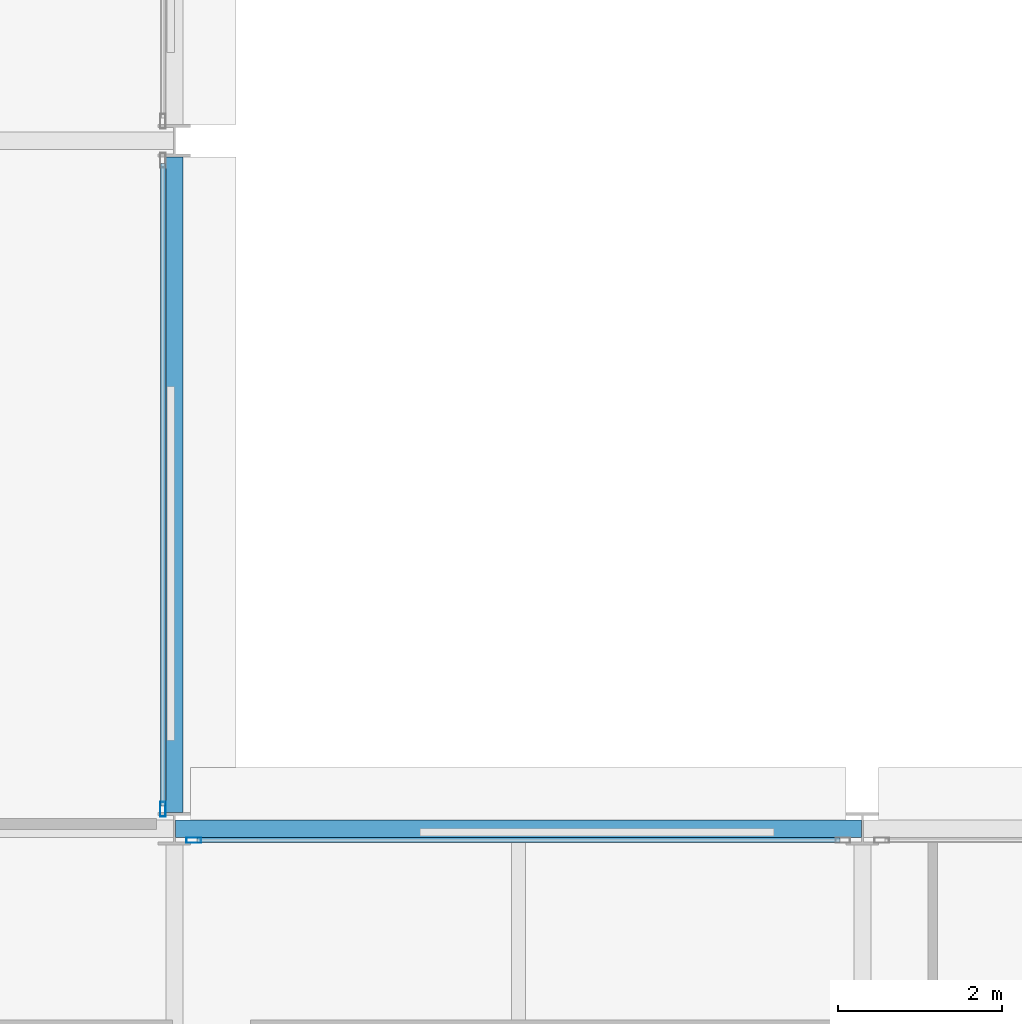
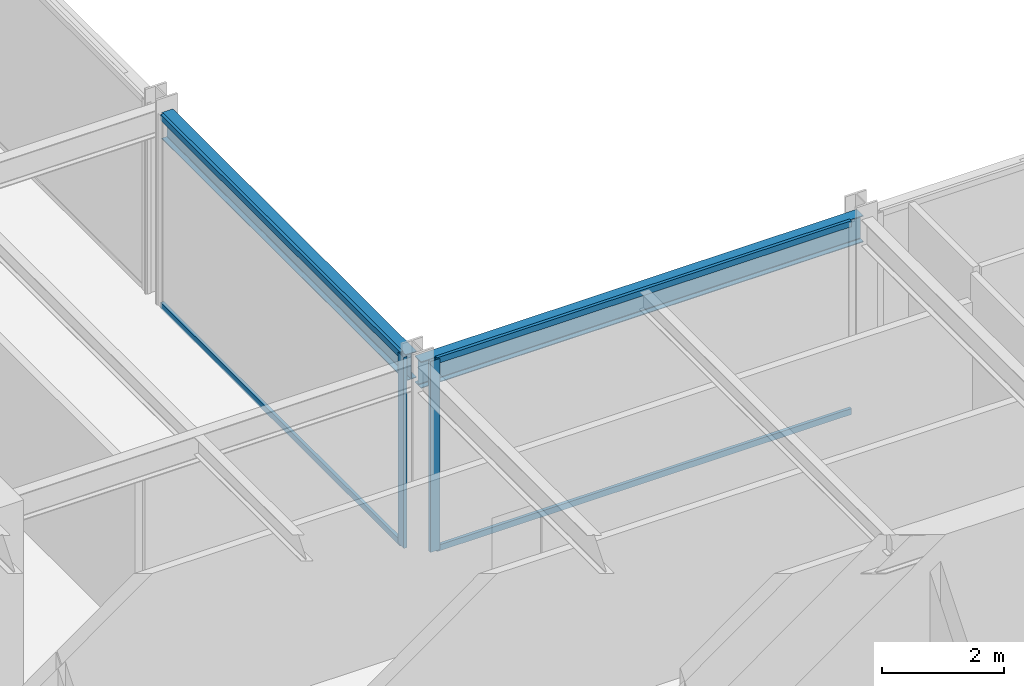
# One storey, part 15 of 39: 6 members, 2 beams, 2 elements without a shape of their own.
"""IFC4 building model written with IfcOpenShell, lengths in metres."""

from ifc_helpers import new_model, si_unit, direction, frame, origin, origin_2d, place, context, subcontext, project, spatial, hollow_rectangle, i_section, extrude, material, layer, layer_set, material_profile, profile_set, type_object, element, aggregate, save


model = new_model("IFC4")

# Units and contexts
model_context = context("Model", 3, precision=1e-05, world=origin(), true_north=direction((0.0, 1.0)))
body_context = subcontext(model_context, "Body", "Model", "MODEL_VIEW")
ifc_project = project(units=[si_unit("LENGTHUNIT", "METRE"), si_unit("AREAUNIT", "SQUARE_METRE"), si_unit("VOLUMEUNIT", "CUBIC_METRE"), si_unit("PLANEANGLEUNIT", "RADIAN"), si_unit("MASSUNIT", "GRAM", prefix="KILO")], contexts=[model_context])

# Site, building, storey
site_placement = place(None, origin())
site = spatial("IfcSite", under=ifc_project, at=site_placement, CompositionType="ELEMENT")
building_placement = place(site_placement, origin())
building = spatial("IfcBuilding", under=site, at=building_placement, Name="Nerrivon Quay Data Exchange", CompositionType="ELEMENT")
storey_placement = place(building_placement, frame((0.0, 0.0, 92.60009765625)))
storey = spatial("IfcBuildingStorey", under=building, at=storey_placement, Name="L21", CompositionType="ELEMENT", Elevation=92.60009765625)

# Beams
ifc_material_1 = material(Name="Steel Grade 350", Category="steel")
ifc_material_profile_1 = material_profile(ifc_material_1, i_section(OverallWidth=0.208984375, OverallDepth=0.532958984375, WebThickness=0.01025390625, FlangeThickness=0.015625, FilletRadius=0.013916015625, at=origin_2d()), Name="530UB92.4")
ifc_profile_set_1 = profile_set([ifc_material_profile_1], Name="Steel Grade 350")
beam_type_1 = type_object("IfcBeamType", Name="BM-G3-530UB92", PredefinedType="BEAM", material=ifc_profile_set_1)
beam_1_placement = place(storey_placement, frame((25.21240234375, 25.199951171875, 3.558349609375), z_axis=(1.0, 0.0, 0.0), x_axis=(0.0, 1.0, 0.0)))
element("IfcBeam", 1, at=beam_1_placement, inside=storey, type_object=beam_type_1, Name="L21 EW Girder Y=25.2 (25.2..33.6)", PredefinedType="BEAM", context=body_context, shape_type="SweptSolid", body=[
    extrude(i_section(OverallWidth=0.208984375, OverallDepth=0.532958984375, WebThickness=0.01025390625, FlangeThickness=0.015625, FilletRadius=0.013916015625, at=origin_2d()), origin(), (0.0, 0.0, 1.0), 8.375),
])
ifc_material_profile_2 = material_profile(ifc_material_1, i_section(OverallWidth=0.208984375, OverallDepth=0.528076171875, WebThickness=0.009521484375, FlangeThickness=0.01318359375, FilletRadius=0.013916015625, at=origin_2d()), Name="530UB82.0")
ifc_profile_set_2 = profile_set([ifc_material_profile_2], Name="Steel Grade 350")
beam_type_2 = type_object("IfcBeamType", Name="BM-G4-530UB82", PredefinedType="BEAM", material=ifc_profile_set_2)
beam_2_placement = place(storey_placement, frame((25.199951171875, 25.39990234375, 3.560791015625), z_axis=(0.0, 1.0, 0.0), x_axis=(-1.0, 0.0, 0.0)))
element("IfcBeam", 2, at=beam_2_placement, inside=storey, type_object=beam_type_2, Name="L21 NS Girder X=25.2 (25.2..33.6)", PredefinedType="BEAM", context=body_context, shape_type="SweptSolid", body=[
    extrude(i_section(OverallWidth=0.208984375, OverallDepth=0.528076171875, WebThickness=0.009521484375, FlangeThickness=0.01318359375, FilletRadius=0.013916015625, at=origin_2d()), origin(), (0.0, 0.0, 1.0), 8.0),
])

# Curtain wall, member
ifc_material_2 = material(Name="Anodised aluminium 6063-T6", Category="aluminium")
ifc_layer = layer(ifc_material_2, 0.2099609375)
ifc_layer_set = layer_set([ifc_layer], Name="Anodised aluminium 6063-T6")
curtain_wall_type = type_object("IfcCurtainWallType", Name="CW-SYS-02", PredefinedType="NOTDEFINED", material=ifc_layer_set)
curtain_wall_1_placement = place(storey_placement, origin())
curtain_wall_1 = element("IfcCurtainWall", 3, at=curtain_wall_1_placement, inside=storey, type_object=curtain_wall_type, Name="L21 Unitised Curtain Wall 31", PredefinedType="NOTDEFINED")
ifc_material_profile_3 = material_profile(ifc_material_2, hollow_rectangle(XDim=0.06494140625, YDim=0.179931640625, WallThickness=0.00341796875, at=origin_2d()), Name="ALU-MULL-180x65")
ifc_profile_set_3 = profile_set([ifc_material_profile_3], Name="Anodised aluminium 6063-T6")
member_type_1 = type_object("IfcMemberType", Name="CWM-180x65", PredefinedType="MULLION", material=ifc_profile_set_3)
member_1_placement = place(storey_placement, frame((25.06005859375, 25.4375, 0.0), z_axis=(0.0, 0.0, 1.0), x_axis=(1.0, 0.0, 0.0)))
member_1 = element("IfcMember", 4, at=member_1_placement, type_object=member_type_1, Name="CW02 mullion 2", PredefinedType="MULLION", context=body_context, shape_type="SweptSolid", body=[
    extrude(hollow_rectangle(XDim=0.06494140625, YDim=0.179931640625, WallThickness=0.00341796875, at=origin_2d()), origin(), (0.0, 0.0, 1.0), 3.824951171875),
])

curtain_wall_2_placement = place(storey_placement, origin())
curtain_wall_2 = element("IfcCurtainWall", 5, at=curtain_wall_2_placement, inside=storey, type_object=curtain_wall_type, Name="L21 Unitised Curtain Wall 32", PredefinedType="NOTDEFINED")
member_2_placement = place(storey_placement, frame((25.4375, 25.06005859375, 0.0), z_axis=(0.0, 0.0, 1.0), x_axis=(0.0, 1.0, 0.0)))
member_2 = element("IfcMember", 6, at=member_2_placement, type_object=member_type_1, Name="CW02 mullion 1", PredefinedType="MULLION", context=body_context, shape_type="SweptSolid", body=[
    extrude(hollow_rectangle(XDim=0.06494140625, YDim=0.179931640625, WallThickness=0.00341796875, at=origin_2d()), origin(), (0.0, 0.0, 1.0), 3.824951171875),
])

# Member
ifc_material_profile_4 = material_profile(ifc_material_2, hollow_rectangle(XDim=0.06005859375, YDim=0.1201171875, WallThickness=0.003173828125, at=origin_2d()), Name="ALU-TRAN-120x60")
ifc_profile_set_4 = profile_set([ifc_material_profile_4], Name="Anodised aluminium 6063-T6")
member_type_2 = type_object("IfcMemberType", Name="CWT-120x60", PredefinedType="USERDEFINED", material=ifc_profile_set_4)
member_3_placement = place(storey_placement, frame((25.06005859375, 33.324951171875, 0.032470703125), z_axis=(0.0, -1.0, 0.0), x_axis=(1.0, 0.0, 0.0)))
member_3 = element("IfcMember", 7, at=member_3_placement, type_object=member_type_2, Name="CW02 transom 1.1", ObjectType="TRANSOM", PredefinedType="USERDEFINED", context=body_context, shape_type="SweptSolid", body=[
    extrude(hollow_rectangle(XDim=0.06005859375, YDim=0.1201171875, WallThickness=0.003173828125, at=origin_2d()), origin(), (0.0, 0.0, 1.0), 7.849853515625),
])

member_4_placement = place(storey_placement, frame((25.06005859375, 33.324951171875, 3.79248046875), z_axis=(0.0, -1.0, 0.0), x_axis=(1.0, 0.0, 0.0)))
member_4 = element("IfcMember", 8, at=member_4_placement, type_object=member_type_2, Name="CW02 transom 1.2", ObjectType="TRANSOM", PredefinedType="USERDEFINED", context=body_context, shape_type="SweptSolid", body=[
    extrude(hollow_rectangle(XDim=0.06005859375, YDim=0.1201171875, WallThickness=0.003173828125, at=origin_2d()), origin(), (0.0, 0.0, 1.0), 7.849853515625),
])

aggregate(curtain_wall_1, [member_1, member_3, member_4])

member_5_placement = place(storey_placement, frame((25.47509765625, 25.06005859375, 0.032470703125), z_axis=(1.0, 0.0, 0.0), x_axis=(0.0, 1.0, 0.0)))
member_5 = element("IfcMember", 9, at=member_5_placement, type_object=member_type_2, Name="CW02 transom 1.1", ObjectType="TRANSOM", PredefinedType="USERDEFINED", context=body_context, shape_type="SweptSolid", body=[
    extrude(hollow_rectangle(XDim=0.06005859375, YDim=0.1201171875, WallThickness=0.003173828125, at=origin_2d()), origin(), (0.0, 0.0, 1.0), 7.849853515625),
])

member_6_placement = place(storey_placement, frame((25.47509765625, 25.06005859375, 3.79248046875), z_axis=(1.0, 0.0, 0.0), x_axis=(0.0, 1.0, 0.0)))
member_6 = element("IfcMember", 10, at=member_6_placement, type_object=member_type_2, Name="CW02 transom 1.2", ObjectType="TRANSOM", PredefinedType="USERDEFINED", context=body_context, shape_type="SweptSolid", body=[
    extrude(hollow_rectangle(XDim=0.06005859375, YDim=0.1201171875, WallThickness=0.003173828125, at=origin_2d()), origin(), (0.0, 0.0, 1.0), 7.849853515625),
])

aggregate(curtain_wall_2, [member_2, member_5, member_6])

save(model, "model.ifc")
